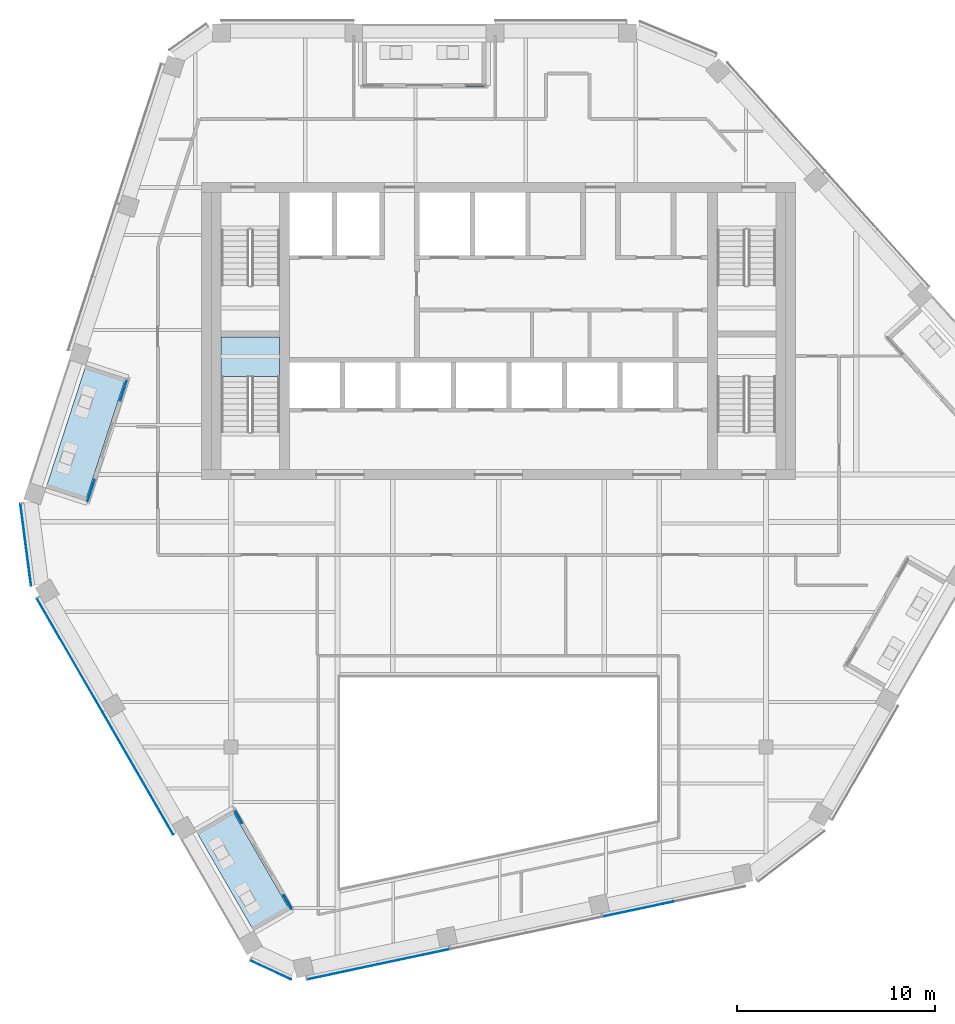
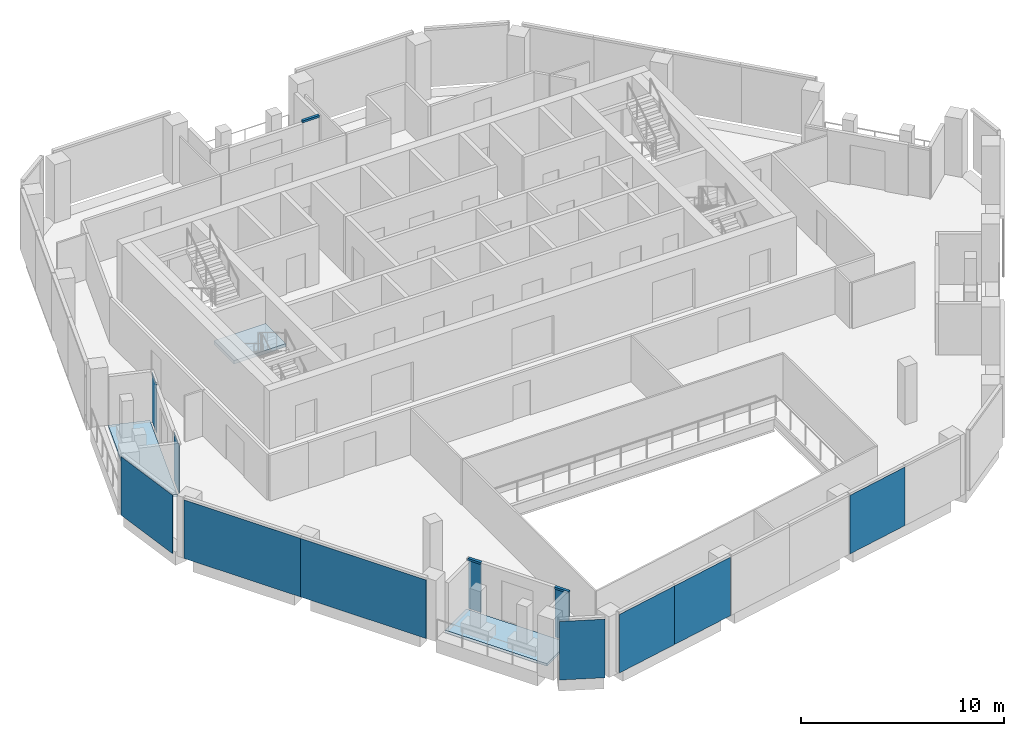
# One storey, part 9 of 20: 11 plates, 3 members, 3 slabs, 8 elements without a shape of their own.
"""IFC4 building model written with IfcOpenShell, lengths in metres."""

from ifc_helpers import new_model, si_unit, direction, frame, origin, origin_2d, place, context, subcontext, project, spatial, polyline, rectangle, outline, extrude, material, layer, layer_set, material_profile, profile_set, type_object, element, aggregate, save


model = new_model("IFC4")

# Units and contexts
model_context = context("Model", 3, precision=1e-05, world=origin(), true_north=direction((0.0, 1.0)))
body_context = subcontext(model_context, "Body", "Model", "MODEL_VIEW")
ifc_project = project(units=[si_unit("LENGTHUNIT", "METRE"), si_unit("AREAUNIT", "SQUARE_METRE"), si_unit("VOLUMEUNIT", "CUBIC_METRE"), si_unit("PLANEANGLEUNIT", "RADIAN"), si_unit("MASSUNIT", "GRAM", prefix="KILO")], contexts=[model_context])

# Site, building, storey
site_placement = place(None, origin())
site = spatial("IfcSite", under=ifc_project, at=site_placement, CompositionType="ELEMENT")
building_placement = place(site_placement, origin())
building = spatial("IfcBuilding", under=site, at=building_placement, Name="Isthmus Gate Tower", CompositionType="ELEMENT")
storey_placement = place(building_placement, frame((0.0, 0.0, 279.199951171875)))
storey = spatial("IfcBuildingStorey", under=building, at=storey_placement, Name="L71", CompositionType="ELEMENT", Elevation=279.199951171875)

# Curtain wall, member
ifc_material_1 = material(Name="Aluminium, pale champagne anodised", Category="aluminium")
ifc_layer_1 = layer(ifc_material_1, 0.14990234375)
ifc_layer_set_1 = layer_set([ifc_layer_1], Name="CW-6 LOGGIA BACK WALL GLAZING 150 DEEP")
curtain_wall_type_1 = type_object("IfcCurtainWallType", Name="CW-6 LOGGIA BACK WALL GLAZING 150 DEEP", PredefinedType="NOTDEFINED", material=ifc_layer_set_1)
curtain_wall_1_placement = place(storey_placement, origin())
curtain_wall_1 = element("IfcCurtainWall", 1, at=curtain_wall_1_placement, inside=storey, type_object=curtain_wall_type_1, Name="CW-6 N L71", PredefinedType="NOTDEFINED")
ifc_material_2 = material(Name="Aluminium, pale champagne anodised", Category="aluminium")
ifc_material_profile = material_profile(ifc_material_2, rectangle(XDim=0.14990234375, YDim=0.1201171875, at=origin_2d()), Name="150x120")
ifc_profile_set = profile_set([ifc_material_profile], Name="Aluminium, pale champagne anodised")
member_type = type_object("IfcMemberType", Name="CW-6 TRANSOM 150 X 120", PredefinedType="USERDEFINED", material=ifc_profile_set)
member_1_placement = place(storey_placement, frame((-0.68505859375, 19.89990234375, 2.989990234375), z_axis=(-1.0, 0.0, 0.0), x_axis=(0.0, -1.0, 0.0)))
member_1 = element("IfcMember", 2, at=member_1_placement, type_object=member_type, Name="CW-6 transom", ObjectType="TRANSOM", PredefinedType="USERDEFINED", context=body_context, shape_type="SweptSolid", body=[
    extrude(rectangle(XDim=0.14990234375, YDim=0.1201171875, at=origin_2d()), origin(), (0.0, 0.0, 1.0), 0.957275390625),
])
aggregate(curtain_wall_1, [member_1])

# Curtain wall, members
curtain_wall_2_placement = place(storey_placement, origin())
curtain_wall_2 = element("IfcCurtainWall", 3, at=curtain_wall_2_placement, inside=storey, type_object=curtain_wall_type_1, Name="CW-6 SW L71", PredefinedType="NOTDEFINED")
member_2_placement = place(storey_placement, frame((-13.32421875, -16.721923828125, 2.989990234375), z_axis=(0.500011000363, -0.866019052629, 0.0), x_axis=(0.866019052629, 0.500011000363, 0.0)))
member_2 = element("IfcMember", 4, at=member_2_placement, type_object=member_type, Name="CW-6 transom", ObjectType="TRANSOM", PredefinedType="USERDEFINED", context=body_context, shape_type="SweptSolid", body=[
    extrude(rectangle(XDim=0.14990234375, YDim=0.1201171875, at=origin_2d()), origin(), (0.0, 0.0, 1.0), 0.732421875),
])
member_3_placement = place(storey_placement, frame((-10.85791015625, -20.993408203125, 2.989990234375), z_axis=(0.499784693506, -0.866149675366, 0.0), x_axis=(0.866149675366, 0.499784693506, 0.0)))
member_3 = element("IfcMember", 5, at=member_3_placement, type_object=member_type, Name="CW-6 transom", ObjectType="TRANSOM", PredefinedType="USERDEFINED", context=body_context, shape_type="SweptSolid", body=[
    extrude(rectangle(XDim=0.14990234375, YDim=0.1201171875, at=origin_2d()), origin(), (0.0, 0.0, 1.0), 0.792236328125),
])

# Curtain wall, plate
ifc_material_3 = material(Name="Aluminium, pale champagne anodised", Category="aluminium")
ifc_layer_2 = layer(ifc_material_3, 0.199951171875)
ifc_layer_set_2 = layer_set([ifc_layer_2], Name="CW-1 UNITISED CURTAIN WALL 200 DEEP")
curtain_wall_type_2 = type_object("IfcCurtainWallType", Name="CW-1 UNITISED CURTAIN WALL 200 DEEP", PredefinedType="NOTDEFINED", material=ifc_layer_set_2)
curtain_wall_3_placement = place(storey_placement, origin())
curtain_wall_3 = element("IfcCurtainWall", 6, at=curtain_wall_3_placement, inside=storey, type_object=curtain_wall_type_2, Name="CW-1 NW-SW L71", PredefinedType="NOTDEFINED")
ifc_material_4 = material(Name="Laminated low-iron glass, pale blue tint", Category="glass")
ifc_layer_3 = layer(ifc_material_4, 0.031982421875)
ifc_layer_set_3 = layer_set([ifc_layer_3], Name="CW-1 CLEAR GLASS LITE 32")
plate_type_1 = type_object("IfcPlateType", Name="CW-1 CLEAR GLASS LITE 32", PredefinedType="CURTAIN_PANEL", material=ifc_layer_set_3)
plate_1_placement = place(storey_placement, frame((-23.866943359375, -3.2998046875, 0.0), z_axis=(0.0, 0.0, 1.0), x_axis=(0.129164534, -0.991623175988, 0.0)))
plate_1 = element("IfcPlate", 7, at=plate_1_placement, type_object=plate_type_1, Name="CW-1 glass lite", PredefinedType="CURTAIN_PANEL", context=body_context, shape_type="SweptSolid", body=[
    extrude(rectangle(XDim=4.181396484375, YDim=0.031982421875, at=origin_2d()), origin(), (0.0, 0.0, 1.0), 3.52001953125),
])
aggregate(curtain_wall_3, [plate_1])

# Curtain wall, plates
curtain_wall_4_placement = place(storey_placement, origin())
curtain_wall_4 = element("IfcCurtainWall", 8, at=curtain_wall_4_placement, inside=storey, type_object=curtain_wall_type_2, Name="CW-1 SW L71", PredefinedType="NOTDEFINED")
plate_2_placement = place(storey_placement, frame((-21.646484375, -8.875244140625, 0.0), z_axis=(0.0, 0.0, 1.0), x_axis=(0.5, -0.866025403784, 0.0)))
plate_2 = element("IfcPlate", 9, at=plate_2_placement, type_object=plate_type_1, Name="CW-1 glass lite", PredefinedType="CURTAIN_PANEL", context=body_context, shape_type="SweptSolid", body=[
    extrude(rectangle(XDim=6.62451171875, YDim=0.031982421875, at=origin_2d()), origin(), (0.0, 0.0, 1.0), 3.52001953125),
])
plate_3_placement = place(storey_placement, frame((-18.206787109375, -14.8330078125, 0.0), z_axis=(0.0, 0.0, 1.0), x_axis=(0.5, -0.866025403784, 0.0)))
plate_3 = element("IfcPlate", 10, at=plate_3_placement, type_object=plate_type_1, Name="CW-1 glass lite", PredefinedType="CURTAIN_PANEL", context=body_context, shape_type="SweptSolid", body=[
    extrude(rectangle(XDim=7.134521484375, YDim=0.031982421875, at=origin_2d()), origin(), (0.0, 0.0, 1.0), 3.52001953125),
])
aggregate(curtain_wall_4, [plate_2, plate_3])

# Curtain wall, plate
curtain_wall_5_placement = place(storey_placement, origin())
curtain_wall_5 = element("IfcCurtainWall", 11, at=curtain_wall_5_placement, inside=storey, type_object=curtain_wall_type_2, Name="CW-1 SW-S L71", PredefinedType="NOTDEFINED")
plate_4_placement = place(storey_placement, frame((-11.50341796875, -24.764892578125, 0.0), z_axis=(0.0, 0.0, 1.0), x_axis=(0.907256261367, -0.420578264073, 0.0)))
plate_4 = element("IfcPlate", 12, at=plate_4_placement, type_object=plate_type_1, Name="CW-1 glass lite", PredefinedType="CURTAIN_PANEL", context=body_context, shape_type="SweptSolid", body=[
    extrude(rectangle(XDim=2.258544921875, YDim=0.031982421875, at=origin_2d()), origin(), (0.0, 0.0, 1.0), 3.52001953125),
])
aggregate(curtain_wall_5, [plate_4])

# Curtain wall, plates
curtain_wall_6_placement = place(storey_placement, origin())
curtain_wall_6 = element("IfcCurtainWall", 13, at=curtain_wall_6_placement, inside=storey, type_object=curtain_wall_type_2, Name="CW-1 S L71", PredefinedType="NOTDEFINED")
plate_5_placement = place(storey_placement, frame((-7.87841796875, -24.86279296875, 0.0), z_axis=(0.0, 0.0, 1.0), x_axis=(0.978147600734, 0.207911690818, 0.0)))
plate_5 = element("IfcPlate", 14, at=plate_5_placement, type_object=plate_type_1, Name="CW-1 glass lite", PredefinedType="CURTAIN_PANEL", context=body_context, shape_type="SweptSolid", body=[
    extrude(rectangle(XDim=3.643310546875, YDim=0.031982421875, at=origin_2d()), origin(), (0.0, 0.0, 1.0), 3.52001953125),
])
plate_6_placement = place(storey_placement, frame((-4.28515625, -24.098876953125, 0.0), z_axis=(0.0, 0.0, 1.0), x_axis=(0.978147600734, 0.207911690818, 0.0)))
plate_6 = element("IfcPlate", 15, at=plate_6_placement, type_object=plate_type_1, Name="CW-1 glass lite", PredefinedType="CURTAIN_PANEL", context=body_context, shape_type="SweptSolid", body=[
    extrude(rectangle(XDim=3.703369140625, YDim=0.031982421875, at=origin_2d()), origin(), (0.0, 0.0, 1.0), 3.52001953125),
])
plate_7_placement = place(storey_placement, frame((7.0517578125, -21.689208984375, 0.0), z_axis=(0.0, 0.0, 1.0), x_axis=(0.978147600734, 0.207911690818, 0.0)))
plate_7 = element("IfcPlate", 16, at=plate_7_placement, type_object=plate_type_1, Name="CW-1 glass lite", PredefinedType="CURTAIN_PANEL", context=body_context, shape_type="SweptSolid", body=[
    extrude(rectangle(XDim=3.643310546875, YDim=0.031982421875, at=origin_2d()), origin(), (0.0, 0.0, 1.0), 3.52001953125),
])
aggregate(curtain_wall_6, [plate_5, plate_6, plate_7])

curtain_wall_7_placement = place(storey_placement, origin())
curtain_wall_7 = element("IfcCurtainWall", 17, at=curtain_wall_7_placement, inside=storey, type_object=curtain_wall_type_1, Name="CW-6 NW L71", PredefinedType="NOTDEFINED")
ifc_material_5 = material(Name="Laminated low-iron glass, clear", Category="glass")
ifc_layer_4 = layer(ifc_material_5, 0.031982421875)
ifc_layer_set_4 = layer_set([ifc_layer_4], Name="CW-6 CLEAR GLASS LITE 32")
plate_type_2 = type_object("IfcPlateType", Name="CW-6 CLEAR GLASS LITE 32", PredefinedType="CURTAIN_PANEL", material=ifc_layer_set_4)
plate_8_placement = place(storey_placement, frame((-18.93115234375, 4.507568359375, 0.0), z_axis=(0.0, 0.0, 1.0), x_axis=(-0.309016994375, -0.951056516295, 0.0)))
plate_8 = element("IfcPlate", 18, at=plate_8_placement, type_object=plate_type_2, Name="CW-6 glass lite", PredefinedType="CURTAIN_PANEL", context=body_context, shape_type="SweptSolid", body=[
    extrude(rectangle(XDim=1.093505859375, YDim=0.031982421875, at=origin_2d()), origin(), (0.0, 0.0, 1.0), 2.929931640625),
])
plate_9_placement = place(storey_placement, frame((-20.576171875, -0.555419921875, 0.0), z_axis=(0.0, 0.0, 1.0), x_axis=(-0.309016994375, -0.951056516295, 0.0)))
plate_9 = element("IfcPlate", 19, at=plate_9_placement, type_object=plate_type_2, Name="CW-6 glass lite", PredefinedType="CURTAIN_PANEL", context=body_context, shape_type="SweptSolid", body=[
    extrude(rectangle(XDim=1.1533203125, YDim=0.031982421875, at=origin_2d()), origin(), (0.0, 0.0, 1.0), 2.929931640625),
])
aggregate(curtain_wall_7, [plate_8, plate_9])

# Plate
plate_10_placement = place(storey_placement, frame((-13.14111328125, -17.0390625, 0.0), z_axis=(0.0, 0.0, 1.0), x_axis=(0.5, -0.866025403784, 0.0)))
plate_10 = element("IfcPlate", 20, at=plate_10_placement, type_object=plate_type_2, Name="CW-6 glass lite", PredefinedType="CURTAIN_PANEL", context=body_context, shape_type="SweptSolid", body=[
    extrude(rectangle(XDim=0.732177734375, YDim=0.031982421875, at=origin_2d()), origin(), (0.0, 0.0, 1.0), 2.929931640625),
])

plate_11_placement = place(storey_placement, frame((-10.659912109375, -21.33642578125, 0.0), z_axis=(0.0, 0.0, 1.0), x_axis=(0.5, -0.866025403784, 0.0)))
plate_11 = element("IfcPlate", 21, at=plate_11_placement, type_object=plate_type_2, Name="CW-6 glass lite", PredefinedType="CURTAIN_PANEL", context=body_context, shape_type="SweptSolid", body=[
    extrude(rectangle(XDim=0.792236328125, YDim=0.031982421875, at=origin_2d()), origin(), (0.0, 0.0, 1.0), 2.929931640625),
])

aggregate(curtain_wall_2, [member_2, plate_10, member_3, plate_11])

# Slabs
ifc_material_6 = material(Name="Concrete f'c 50 MPa", Category="concrete")
ifc_layer_5 = layer(ifc_material_6, 0.14990234375)
ifc_layer_set_5 = layer_set([ifc_layer_5], Name="LOGGIA FLOOR SLAB 150")
slab_type_1 = type_object("IfcSlabType", Name="LOGGIA FLOOR SLAB 150", PredefinedType="FLOOR", material=ifc_layer_set_5)
slab_1_placement = place(storey_placement, frame((0.0, 0.0, -0.14990234375)))
element("IfcSlab", 22, at=slab_1_placement, inside=storey, type_object=slab_type_1, Name="LOGGIA FLOOR", PredefinedType="FLOOR", context=body_context, shape_type="SweptSolid", body=[
    extrude(outline(polyline([(-20.8359375, 5.764404296875), (-22.8466796875, -0.424072265625), (-20.849365234375, -1.072998046875), (-18.838623046875, 5.115478515625), (-20.8359375, 5.764404296875)])), origin(), (0.0, 0.0, 1.0), 0.14990234375),
])
slab_2_placement = place(storey_placement, frame((0.0, 0.0, -0.14990234375)))
element("IfcSlab", 23, at=slab_2_placement, inside=storey, type_object=slab_type_1, Name="LOGGIA FLOOR", PredefinedType="FLOOR", context=body_context, shape_type="SweptSolid", body=[
    extrude(outline(polyline([(-15.25927734375, -17.77001953125), (-12.3671875, -22.779541015625), (-10.54833984375, -21.7294921875), (-13.440673828125, -16.719970703125), (-15.25927734375, -17.77001953125)])), origin(), (0.0, 0.0, 1.0), 0.14990234375),
])

# Stair, slab
ifc_material_7 = material(Name="Concrete f'c 40 MPa", Category="concrete")
stair_type = type_object("IfcStairType", Name="CORE STAIR 22 RISERS", PredefinedType="HALF_TURN_STAIR", material=ifc_material_7)
stair_placement = place(storey_placement, origin())
stair = element("IfcStair", 24, at=stair_placement, inside=storey, type_object=stair_type, Name="L71 Exit Stair 7", PredefinedType="HALF_TURN_STAIR")
ifc_material_8 = material(Name="Concrete f'c 40 MPa", Category="concrete")
ifc_layer_6 = layer(ifc_material_8, 0.199951171875)
ifc_layer_set_6 = layer_set([ifc_layer_6])
slab_type_2 = type_object("IfcSlabType", Name="STAIR LANDING RC 200", PredefinedType="LANDING", material=ifc_layer_set_6)
slab_3_placement = place(storey_placement, frame((0.0, 0.0, 1.625)))
slab_3 = element("IfcSlab", 25, at=slab_3_placement, type_object=slab_type_2, Name="ST7 landing 1", PredefinedType="LANDING", context=body_context, shape_type="SweptSolid", body=[
    extrude(outline(polyline([(-11.050048828125, 5.199951171875), (-11.050048828125, 7.199951171875), (-14.0, 7.199951171875), (-14.0, 5.199951171875), (-11.050048828125, 5.199951171875)])), origin(), (0.0, 0.0, 1.0), 0.199951171875),
])
aggregate(stair, [slab_3])

save(model, "model.ifc")
